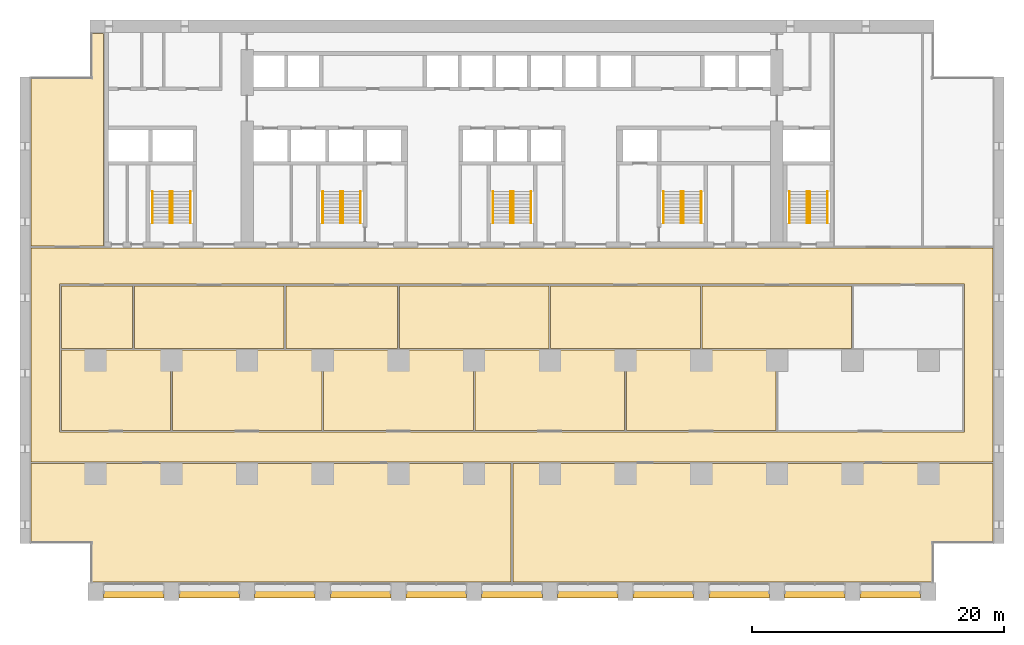
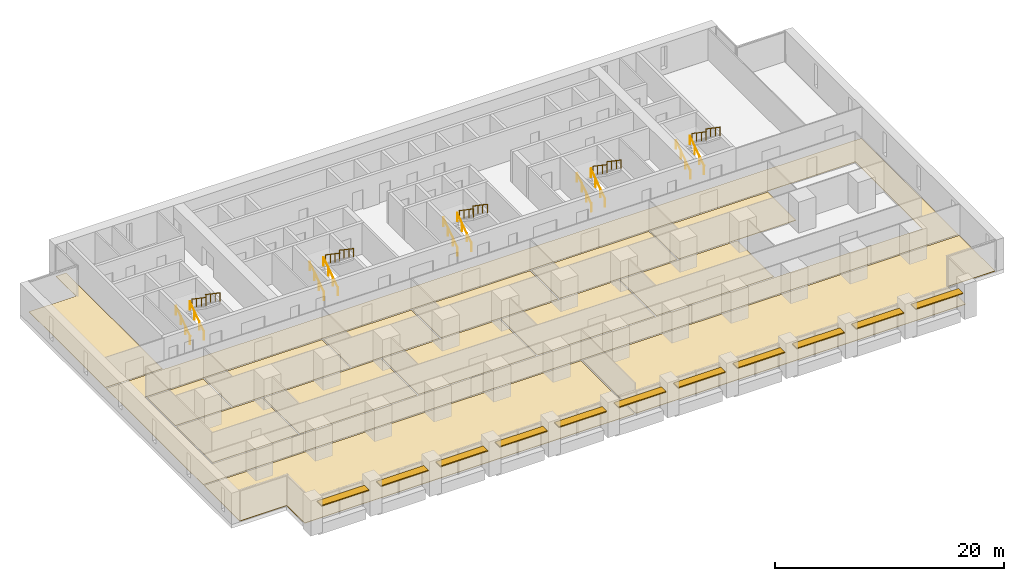
# One storey, part 17 of 18: 20 railings, 15 coverings, 11 shading devices, 5 elements without a shape of their own.
"""IFC4 building model written with IfcOpenShell, lengths in metres."""

from ifc_helpers import new_model, si_unit, direction, frame, origin, origin_2d, place, context, subcontext, project, spatial, polyline, rectangle, circle, outline, extrude, material, layer, layer_set, material_profile, profile_set, type_object, element, aggregate, save


model = new_model("IFC4")

# Units and contexts
model_context = context("Model", 3, precision=1e-05, world=origin(), true_north=direction((0.0, 1.0)))
body_context = subcontext(model_context, "Body", "Model", "MODEL_VIEW")
ifc_project = project(units=[si_unit("LENGTHUNIT", "METRE"), si_unit("AREAUNIT", "SQUARE_METRE"), si_unit("VOLUMEUNIT", "CUBIC_METRE"), si_unit("PLANEANGLEUNIT", "RADIAN"), si_unit("MASSUNIT", "GRAM", prefix="KILO")], contexts=[model_context])

# Site, building, storey
site_placement = place(None, origin())
site = spatial("IfcSite", under=ifc_project, at=site_placement, CompositionType="ELEMENT")
building_placement = place(site_placement, origin())
building = spatial("IfcBuilding", under=site, at=building_placement, Name="Calvaro Tower", CompositionType="ELEMENT")
storey_placement = place(building_placement, frame((0.0, 0.0, 41.25)))
storey = spatial("IfcBuildingStorey", under=building, at=storey_placement, Name="L09", CompositionType="ELEMENT", Elevation=41.25)

# Shading devices
ifc_material_1 = material(Name="Anodised aluminium", Category="aluminium")
ifc_material_profile = material_profile(ifc_material_1, rectangle(XDim=0.800048828125, YDim=0.10009765625, at=origin_2d()), Name="Brise-soleil blade 800 x 100")
ifc_profile_set = profile_set([ifc_material_profile], Name="Anodised aluminium")
shading_device_type = type_object("IfcShadingDeviceType", Name="Brise-soleil blade 800 x 100", PredefinedType="JALOUSIE", material=ifc_profile_set)
for number, where, z_axis, x_axis, name in (
    (1, (6.60009765625, 0.60009765625, 2.300048828125), (1.0, 0.0, 0.0), (0.0, 1.0, 0.0), "Brise-soleil blade 1"),
    (2, (12.60009765625, 0.60009765625, 2.300048828125), (1.0, 0.0, 0.0), (0.0, 1.0, 0.0), "Brise-soleil blade 2"),
    (3, (18.60009765625, 0.60009765625, 2.300048828125), (1.0, 0.0, 0.0), (0.0, 1.0, 0.0), "Brise-soleil blade 3"),
    (4, (24.60009765625, 0.60009765625, 2.300048828125), (1.0, 0.0, 0.0), (0.0, 1.0, 0.0), "Brise-soleil blade 4"),
    (5, (30.60009765625, 0.60009765625, 2.300048828125), (1.0, 0.0, 0.0), (0.0, 1.0, 0.0), "Brise-soleil blade 5"),
    (6, (36.60009765625, 0.60009765625, 2.300048828125), (1.0, 0.0, 0.0), (0.0, 1.0, 0.0), "Brise-soleil blade 6"),
    (7, (42.60009765625, 0.60009765625, 2.300048828125), (1.0, 0.0, 0.0), (0.0, 1.0, 0.0), "Brise-soleil blade 7"),
    (8, (48.60009765625, 0.60009765625, 2.300048828125), (1.0, 0.0, 0.0), (0.0, 1.0, 0.0), "Brise-soleil blade 8"),
    (9, (54.60009765625, 0.60009765625, 2.300048828125), (1.0, 0.0, 0.0), (0.0, 1.0, 0.0), "Brise-soleil blade 9"),
    (10, (60.60009765625, 0.60009765625, 2.300048828125), (1.0, 0.0, 0.0), (0.0, 1.0, 0.0), "Brise-soleil blade 10"),
    (11, (66.60009765625, 0.60009765625, 2.300048828125), (1.0, 0.0, 0.0), (0.0, 1.0, 0.0), "Brise-soleil blade 11"),
):
    element("IfcShadingDevice", number, at=place(storey_placement, frame(where, z_axis=z_axis, x_axis=x_axis)), inside=storey, type_object=shading_device_type, Name=name, PredefinedType="JALOUSIE", context=body_context, shape_type="SweptSolid", body=[
        extrude(rectangle(XDim=0.800048828125, YDim=0.10009765625, at=origin_2d()), origin(), (0.0, 0.0, 1.0), 4.7998046875),
    ])

# Coverings
ifc_material_2 = material(Name="Cement screed with carpet tile finish")
ifc_layer = layer(ifc_material_2, 0.050048828125)
ifc_layer_set = layer_set([ifc_layer], Name="Cement screed with carpet tile finish")
covering_type = type_object("IfcCoveringType", Name="Floor finish 50", PredefinedType="FLOORING", material=ifc_layer_set)
covering_1_placement = place(storey_placement, origin())
element("IfcCovering", 12, at=covering_1_placement, inside=storey, type_object=covering_type, Name="Floor finish 09.01", PredefinedType="FLOORING", context=body_context, shape_type="SweptSolid", body=[
    extrude(outline(polyline([(0.8701171875, 10.969970703125), (0.8701171875, 27.929931640625), (77.1298828125, 27.929931640625), (77.1298828125, 10.969970703125), (0.8701171875, 10.969970703125)]), holes=[polyline([(74.8701171875, 13.330078125), (74.8701171875, 25.070068359375), (3.1298828125, 25.070068359375), (3.1298828125, 13.330078125), (74.8701171875, 13.330078125)])]), origin(), (0.0, 0.0, 1.0), 0.050048828125),
])
covering_2_placement = place(storey_placement, origin())
element("IfcCovering", 13, at=covering_2_placement, inside=storey, type_object=covering_type, Name="Floor finish 09.02", PredefinedType="FLOORING", context=body_context, shape_type="SweptSolid", body=[
    extrude(outline(polyline([(38.929931640625, 10.830078125), (38.929931640625, 1.469970703125), (5.6201171875, 1.469970703125), (5.6201171875, 4.570068359375), (0.8701171875, 4.570068359375), (0.8701171875, 10.830078125), (38.929931640625, 10.830078125)])), origin(), (0.0, 0.0, 1.0), 0.050048828125),
])
covering_3_placement = place(storey_placement, origin())
element("IfcCovering", 14, at=covering_3_placement, inside=storey, type_object=covering_type, Name="Floor finish 09.03", PredefinedType="FLOORING", context=body_context, shape_type="SweptSolid", body=[
    extrude(outline(polyline([(77.1298828125, 4.570068359375), (72.3798828125, 4.570068359375), (72.3798828125, 1.469970703125), (39.070068359375, 1.469970703125), (39.070068359375, 10.830078125), (77.1298828125, 10.830078125), (77.1298828125, 4.570068359375)])), origin(), (0.0, 0.0, 1.0), 0.050048828125),
])
covering_4_placement = place(storey_placement, origin())
element("IfcCovering", 15, at=covering_4_placement, inside=storey, type_object=covering_type, Name="Floor finish 09.04", PredefinedType="FLOORING", context=body_context, shape_type="SweptSolid", body=[
    extrude(outline(polyline([(3.27001953125, 13.469970703125), (3.27001953125, 19.830078125), (11.929931640625, 19.830078125), (11.929931640625, 13.469970703125), (3.27001953125, 13.469970703125)])), origin(), (0.0, 0.0, 1.0), 0.050048828125),
])
covering_5_placement = place(storey_placement, origin())
element("IfcCovering", 16, at=covering_5_placement, inside=storey, type_object=covering_type, Name="Floor finish 09.06", PredefinedType="FLOORING", context=body_context, shape_type="SweptSolid", body=[
    extrude(outline(polyline([(12.070068359375, 13.469970703125), (12.070068359375, 19.830078125), (23.929931640625, 19.830078125), (23.929931640625, 13.469970703125), (12.070068359375, 13.469970703125)])), origin(), (0.0, 0.0, 1.0), 0.050048828125),
])
covering_6_placement = place(storey_placement, origin())
element("IfcCovering", 17, at=covering_6_placement, inside=storey, type_object=covering_type, Name="Floor finish 09.07", PredefinedType="FLOORING", context=body_context, shape_type="SweptSolid", body=[
    extrude(outline(polyline([(24.070068359375, 13.469970703125), (24.070068359375, 19.830078125), (35.929931640625, 19.830078125), (35.929931640625, 13.469970703125), (24.070068359375, 13.469970703125)])), origin(), (0.0, 0.0, 1.0), 0.050048828125),
])
covering_7_placement = place(storey_placement, origin())
element("IfcCovering", 18, at=covering_7_placement, inside=storey, type_object=covering_type, Name="Floor finish 09.08", PredefinedType="FLOORING", context=body_context, shape_type="SweptSolid", body=[
    extrude(outline(polyline([(36.070068359375, 13.469970703125), (36.070068359375, 19.830078125), (47.929931640625, 19.830078125), (47.929931640625, 13.469970703125), (36.070068359375, 13.469970703125)])), origin(), (0.0, 0.0, 1.0), 0.050048828125),
])
covering_8_placement = place(storey_placement, origin())
element("IfcCovering", 19, at=covering_8_placement, inside=storey, type_object=covering_type, Name="Floor finish 09.09", PredefinedType="FLOORING", context=body_context, shape_type="SweptSolid", body=[
    extrude(outline(polyline([(48.070068359375, 13.469970703125), (48.070068359375, 19.830078125), (59.929931640625, 19.830078125), (59.929931640625, 13.469970703125), (48.070068359375, 13.469970703125)])), origin(), (0.0, 0.0, 1.0), 0.050048828125),
])
covering_9_placement = place(storey_placement, origin())
element("IfcCovering", 20, at=covering_9_placement, inside=storey, type_object=covering_type, Name="Floor finish 09.12", PredefinedType="FLOORING", context=body_context, shape_type="SweptSolid", body=[
    extrude(outline(polyline([(3.27001953125, 19.969970703125), (3.27001953125, 24.929931640625), (8.929931640625, 24.929931640625), (8.929931640625, 19.969970703125), (3.27001953125, 19.969970703125)])), origin(), (0.0, 0.0, 1.0), 0.050048828125),
])
covering_10_placement = place(storey_placement, origin())
element("IfcCovering", 21, at=covering_10_placement, inside=storey, type_object=covering_type, Name="Floor finish 09.13", PredefinedType="FLOORING", context=body_context, shape_type="SweptSolid", body=[
    extrude(outline(polyline([(9.070068359375, 19.969970703125), (9.070068359375, 24.929931640625), (20.929931640625, 24.929931640625), (20.929931640625, 19.969970703125), (9.070068359375, 19.969970703125)])), origin(), (0.0, 0.0, 1.0), 0.050048828125),
])
covering_11_placement = place(storey_placement, origin())
element("IfcCovering", 22, at=covering_11_placement, inside=storey, type_object=covering_type, Name="Floor finish 09.10", PredefinedType="FLOORING", context=body_context, shape_type="SweptSolid", body=[
    extrude(outline(polyline([(21.070068359375, 19.969970703125), (21.070068359375, 24.929931640625), (29.929931640625, 24.929931640625), (29.929931640625, 19.969970703125), (21.070068359375, 19.969970703125)])), origin(), (0.0, 0.0, 1.0), 0.050048828125),
])
covering_12_placement = place(storey_placement, origin())
element("IfcCovering", 23, at=covering_12_placement, inside=storey, type_object=covering_type, Name="Floor finish 09.14", PredefinedType="FLOORING", context=body_context, shape_type="SweptSolid", body=[
    extrude(outline(polyline([(30.070068359375, 19.969970703125), (30.070068359375, 24.929931640625), (41.929931640625, 24.929931640625), (41.929931640625, 19.969970703125), (30.070068359375, 19.969970703125)])), origin(), (0.0, 0.0, 1.0), 0.050048828125),
])
covering_13_placement = place(storey_placement, origin())
element("IfcCovering", 24, at=covering_13_placement, inside=storey, type_object=covering_type, Name="Floor finish 09.15", PredefinedType="FLOORING", context=body_context, shape_type="SweptSolid", body=[
    extrude(outline(polyline([(42.070068359375, 19.969970703125), (42.070068359375, 24.929931640625), (53.929931640625, 24.929931640625), (53.929931640625, 19.969970703125), (42.070068359375, 19.969970703125)])), origin(), (0.0, 0.0, 1.0), 0.050048828125),
])
covering_14_placement = place(storey_placement, origin())
element("IfcCovering", 25, at=covering_14_placement, inside=storey, type_object=covering_type, Name="Floor finish 09.16", PredefinedType="FLOORING", context=body_context, shape_type="SweptSolid", body=[
    extrude(outline(polyline([(54.070068359375, 19.969970703125), (54.070068359375, 24.929931640625), (65.929931640625, 24.929931640625), (65.929931640625, 19.969970703125), (54.070068359375, 19.969970703125)])), origin(), (0.0, 0.0, 1.0), 0.050048828125),
])
covering_15_placement = place(storey_placement, origin())
element("IfcCovering", 26, at=covering_15_placement, inside=storey, type_object=covering_type, Name="Floor finish 09.18", PredefinedType="FLOORING", context=body_context, shape_type="SweptSolid", body=[
    extrude(outline(polyline([(6.6298828125, 28.070068359375), (0.8701171875, 28.070068359375), (0.8701171875, 41.429931640625), (5.6201171875, 41.429931640625), (5.6201171875, 44.929931640625), (6.6298828125, 44.929931640625), (6.6298828125, 28.070068359375)])), origin(), (0.0, 0.0, 1.0), 0.050048828125),
])

# Stair, railings
ifc_material_3 = material(Name="Concrete C40/50", Category="concrete")
stair_type = type_object("IfcStairType", Name="Exit stair 1400 2 flights", PredefinedType="HALF_TURN_STAIR", material=ifc_material_3)
stair_1_placement = place(storey_placement, origin())
stair_1 = element("IfcStair", 27, at=stair_1_placement, inside=storey, type_object=stair_type, Name="Exit stair S1", PredefinedType="HALF_TURN_STAIR")
ifc_material_4 = material(Name="Stainless steel", Category="steel")
railing_type = type_object("IfcRailingType", Name="Stair handrail", PredefinedType="HANDRAIL", material=ifc_material_4)
railing_1_placement = place(storey_placement, frame((11.89990234375, 29.89990234375, 0.17041015625)))
railing_1 = element("IfcRailing", 28, at=railing_1_placement, type_object=railing_type, Name="Exit stair 1 handrail", PredefinedType="HANDRAIL", context=body_context, shape_type="SweptSolid", body=[
    extrude(circle(Radius=0.02392578125, at=origin_2d()), frame((0.0, 0.0, 0.8759765625), z_axis=(0.0, 0.826220514629, 0.563346839174), x_axis=(-1.0, 0.0, 0.0)), (0.0, 0.0, 1.0), 3.02587890625),
    extrude(circle(Radius=0.02099609375, at=origin_2d()), frame((0.0, 0.017333984375, 0.01171875)), (0.0, 0.0, 1.0), 0.851806640625),
    extrude(circle(Radius=0.02099609375, at=origin_2d()), frame((0.0, 0.833251953125, 0.568115234375)), (0.0, 0.0, 1.0), 0.851806640625),
    extrude(circle(Radius=0.02099609375, at=origin_2d()), frame((0.0, 1.666748046875, 1.136474609375)), (0.0, 0.0, 1.0), 0.851806640625),
    extrude(circle(Radius=0.02099609375, at=origin_2d()), frame((0.0, 2.482666015625, 1.69287109375)), (0.0, 0.0, 1.0), 0.851806640625),
])
railing_2_placement = place(storey_placement, frame((10.5, 29.89990234375, 0.17041015625)))
railing_2 = element("IfcRailing", 29, at=railing_2_placement, type_object=railing_type, Name="Exit stair 1 handrail", PredefinedType="HANDRAIL", context=body_context, shape_type="SweptSolid", body=[
    extrude(circle(Radius=0.02392578125, at=origin_2d()), frame((0.0, 0.0, 0.8759765625), z_axis=(0.0, 0.826220514629, 0.563346839174), x_axis=(-1.0, 0.0, 0.0)), (0.0, 0.0, 1.0), 3.02587890625),
    extrude(circle(Radius=0.02099609375, at=origin_2d()), frame((0.0, 0.017333984375, 0.01171875)), (0.0, 0.0, 1.0), 0.851806640625),
    extrude(circle(Radius=0.02099609375, at=origin_2d()), frame((0.0, 0.833251953125, 0.568115234375)), (0.0, 0.0, 1.0), 0.851806640625),
    extrude(circle(Radius=0.02099609375, at=origin_2d()), frame((0.0, 1.666748046875, 1.136474609375)), (0.0, 0.0, 1.0), 0.851806640625),
    extrude(circle(Radius=0.02099609375, at=origin_2d()), frame((0.0, 2.482666015625, 1.69287109375)), (0.0, 0.0, 1.0), 0.851806640625),
])
railing_3_placement = place(storey_placement, frame((12.10009765625, 32.39990234375, 2.04541015625)))
railing_3 = element("IfcRailing", 30, at=railing_3_placement, type_object=railing_type, Name="Exit stair 1 handrail", PredefinedType="HANDRAIL", context=body_context, shape_type="SweptSolid", body=[
    extrude(circle(Radius=0.02392578125, at=origin_2d()), frame((0.0, 0.0, 0.8759765625), z_axis=(0.0, -0.826220514629, 0.563346839174), x_axis=(1.0, 0.0, 0.0)), (0.0, 0.0, 1.0), 3.02587890625),
    extrude(circle(Radius=0.02099609375, at=origin_2d()), frame((0.0, -0.017333984375, 0.01171875)), (0.0, 0.0, 1.0), 0.851806640625),
    extrude(circle(Radius=0.02099609375, at=origin_2d()), frame((0.0, -0.833251953125, 0.568115234375)), (0.0, 0.0, 1.0), 0.851806640625),
    extrude(circle(Radius=0.02099609375, at=origin_2d()), frame((0.0, -1.666748046875, 1.136474609375)), (0.0, 0.0, 1.0), 0.851806640625),
    extrude(circle(Radius=0.02099609375, at=origin_2d()), frame((0.0, -2.482666015625, 1.69287109375)), (0.0, 0.0, 1.0), 0.851806640625),
])
railing_4_placement = place(storey_placement, frame((13.5, 32.39990234375, 2.04541015625)))
railing_4 = element("IfcRailing", 31, at=railing_4_placement, type_object=railing_type, Name="Exit stair 1 handrail", PredefinedType="HANDRAIL", context=body_context, shape_type="SweptSolid", body=[
    extrude(circle(Radius=0.02392578125, at=origin_2d()), frame((0.0, 0.0, 0.8759765625), z_axis=(0.0, -0.826220514629, 0.563346839174), x_axis=(1.0, 0.0, 0.0)), (0.0, 0.0, 1.0), 3.02587890625),
    extrude(circle(Radius=0.02099609375, at=origin_2d()), frame((0.0, -0.017333984375, 0.01171875)), (0.0, 0.0, 1.0), 0.851806640625),
    extrude(circle(Radius=0.02099609375, at=origin_2d()), frame((0.0, -0.833251953125, 0.568115234375)), (0.0, 0.0, 1.0), 0.851806640625),
    extrude(circle(Radius=0.02099609375, at=origin_2d()), frame((0.0, -1.666748046875, 1.136474609375)), (0.0, 0.0, 1.0), 0.851806640625),
    extrude(circle(Radius=0.02099609375, at=origin_2d()), frame((0.0, -2.482666015625, 1.69287109375)), (0.0, 0.0, 1.0), 0.851806640625),
])
aggregate(stair_1, [railing_1, railing_2, railing_3, railing_4])

stair_2_placement = place(storey_placement, origin())
stair_2 = element("IfcStair", 32, at=stair_2_placement, inside=storey, type_object=stair_type, Name="Exit stair S2", PredefinedType="HALF_TURN_STAIR")
railing_5_placement = place(storey_placement, frame((25.39990234375, 29.89990234375, 0.17041015625)))
railing_5 = element("IfcRailing", 33, at=railing_5_placement, type_object=railing_type, Name="Exit stair 2 handrail", PredefinedType="HANDRAIL", context=body_context, shape_type="SweptSolid", body=[
    extrude(circle(Radius=0.02392578125, at=origin_2d()), frame((0.0, 0.0, 0.8759765625), z_axis=(0.0, 0.826220514629, 0.563346839174), x_axis=(-1.0, 0.0, 0.0)), (0.0, 0.0, 1.0), 3.02587890625),
    extrude(circle(Radius=0.02099609375, at=origin_2d()), frame((0.0, 0.017333984375, 0.01171875)), (0.0, 0.0, 1.0), 0.851806640625),
    extrude(circle(Radius=0.02099609375, at=origin_2d()), frame((0.0, 0.833251953125, 0.568115234375)), (0.0, 0.0, 1.0), 0.851806640625),
    extrude(circle(Radius=0.02099609375, at=origin_2d()), frame((0.0, 1.666748046875, 1.136474609375)), (0.0, 0.0, 1.0), 0.851806640625),
    extrude(circle(Radius=0.02099609375, at=origin_2d()), frame((0.0, 2.482666015625, 1.69287109375)), (0.0, 0.0, 1.0), 0.851806640625),
])
railing_6_placement = place(storey_placement, frame((24.0, 29.89990234375, 0.17041015625)))
railing_6 = element("IfcRailing", 34, at=railing_6_placement, type_object=railing_type, Name="Exit stair 2 handrail", PredefinedType="HANDRAIL", context=body_context, shape_type="SweptSolid", body=[
    extrude(circle(Radius=0.02392578125, at=origin_2d()), frame((0.0, 0.0, 0.8759765625), z_axis=(0.0, 0.826220514629, 0.563346839174), x_axis=(-1.0, 0.0, 0.0)), (0.0, 0.0, 1.0), 3.02587890625),
    extrude(circle(Radius=0.02099609375, at=origin_2d()), frame((0.0, 0.017333984375, 0.01171875)), (0.0, 0.0, 1.0), 0.851806640625),
    extrude(circle(Radius=0.02099609375, at=origin_2d()), frame((0.0, 0.833251953125, 0.568115234375)), (0.0, 0.0, 1.0), 0.851806640625),
    extrude(circle(Radius=0.02099609375, at=origin_2d()), frame((0.0, 1.666748046875, 1.136474609375)), (0.0, 0.0, 1.0), 0.851806640625),
    extrude(circle(Radius=0.02099609375, at=origin_2d()), frame((0.0, 2.482666015625, 1.69287109375)), (0.0, 0.0, 1.0), 0.851806640625),
])
railing_7_placement = place(storey_placement, frame((25.60009765625, 32.39990234375, 2.04541015625)))
railing_7 = element("IfcRailing", 35, at=railing_7_placement, type_object=railing_type, Name="Exit stair 2 handrail", PredefinedType="HANDRAIL", context=body_context, shape_type="SweptSolid", body=[
    extrude(circle(Radius=0.02392578125, at=origin_2d()), frame((0.0, 0.0, 0.8759765625), z_axis=(0.0, -0.826220514629, 0.563346839174), x_axis=(1.0, 0.0, 0.0)), (0.0, 0.0, 1.0), 3.02587890625),
    extrude(circle(Radius=0.02099609375, at=origin_2d()), frame((0.0, -0.017333984375, 0.01171875)), (0.0, 0.0, 1.0), 0.851806640625),
    extrude(circle(Radius=0.02099609375, at=origin_2d()), frame((0.0, -0.833251953125, 0.568115234375)), (0.0, 0.0, 1.0), 0.851806640625),
    extrude(circle(Radius=0.02099609375, at=origin_2d()), frame((0.0, -1.666748046875, 1.136474609375)), (0.0, 0.0, 1.0), 0.851806640625),
    extrude(circle(Radius=0.02099609375, at=origin_2d()), frame((0.0, -2.482666015625, 1.69287109375)), (0.0, 0.0, 1.0), 0.851806640625),
])
railing_8_placement = place(storey_placement, frame((27.0, 32.39990234375, 2.04541015625)))
railing_8 = element("IfcRailing", 36, at=railing_8_placement, type_object=railing_type, Name="Exit stair 2 handrail", PredefinedType="HANDRAIL", context=body_context, shape_type="SweptSolid", body=[
    extrude(circle(Radius=0.02392578125, at=origin_2d()), frame((0.0, 0.0, 0.8759765625), z_axis=(0.0, -0.826220514629, 0.563346839174), x_axis=(1.0, 0.0, 0.0)), (0.0, 0.0, 1.0), 3.02587890625),
    extrude(circle(Radius=0.02099609375, at=origin_2d()), frame((0.0, -0.017333984375, 0.01171875)), (0.0, 0.0, 1.0), 0.851806640625),
    extrude(circle(Radius=0.02099609375, at=origin_2d()), frame((0.0, -0.833251953125, 0.568115234375)), (0.0, 0.0, 1.0), 0.851806640625),
    extrude(circle(Radius=0.02099609375, at=origin_2d()), frame((0.0, -1.666748046875, 1.136474609375)), (0.0, 0.0, 1.0), 0.851806640625),
    extrude(circle(Radius=0.02099609375, at=origin_2d()), frame((0.0, -2.482666015625, 1.69287109375)), (0.0, 0.0, 1.0), 0.851806640625),
])
aggregate(stair_2, [railing_5, railing_6, railing_7, railing_8])

stair_3_placement = place(storey_placement, origin())
stair_3 = element("IfcStair", 37, at=stair_3_placement, inside=storey, type_object=stair_type, Name="Exit stair S3", PredefinedType="HALF_TURN_STAIR")
railing_9_placement = place(storey_placement, frame((38.89990234375, 29.89990234375, 0.17041015625)))
railing_9 = element("IfcRailing", 38, at=railing_9_placement, type_object=railing_type, Name="Exit stair 3 handrail", PredefinedType="HANDRAIL", context=body_context, shape_type="SweptSolid", body=[
    extrude(circle(Radius=0.02392578125, at=origin_2d()), frame((0.0, 0.0, 0.8759765625), z_axis=(0.0, 0.826220514629, 0.563346839174), x_axis=(-1.0, 0.0, 0.0)), (0.0, 0.0, 1.0), 3.02587890625),
    extrude(circle(Radius=0.02099609375, at=origin_2d()), frame((0.0, 0.017333984375, 0.01171875)), (0.0, 0.0, 1.0), 0.851806640625),
    extrude(circle(Radius=0.02099609375, at=origin_2d()), frame((0.0, 0.833251953125, 0.568115234375)), (0.0, 0.0, 1.0), 0.851806640625),
    extrude(circle(Radius=0.02099609375, at=origin_2d()), frame((0.0, 1.666748046875, 1.136474609375)), (0.0, 0.0, 1.0), 0.851806640625),
    extrude(circle(Radius=0.02099609375, at=origin_2d()), frame((0.0, 2.482666015625, 1.69287109375)), (0.0, 0.0, 1.0), 0.851806640625),
])
railing_10_placement = place(storey_placement, frame((37.5, 29.89990234375, 0.17041015625)))
railing_10 = element("IfcRailing", 39, at=railing_10_placement, type_object=railing_type, Name="Exit stair 3 handrail", PredefinedType="HANDRAIL", context=body_context, shape_type="SweptSolid", body=[
    extrude(circle(Radius=0.02392578125, at=origin_2d()), frame((0.0, 0.0, 0.8759765625), z_axis=(0.0, 0.826220514629, 0.563346839174), x_axis=(-1.0, 0.0, 0.0)), (0.0, 0.0, 1.0), 3.02587890625),
    extrude(circle(Radius=0.02099609375, at=origin_2d()), frame((0.0, 0.017333984375, 0.01171875)), (0.0, 0.0, 1.0), 0.851806640625),
    extrude(circle(Radius=0.02099609375, at=origin_2d()), frame((0.0, 0.833251953125, 0.568115234375)), (0.0, 0.0, 1.0), 0.851806640625),
    extrude(circle(Radius=0.02099609375, at=origin_2d()), frame((0.0, 1.666748046875, 1.136474609375)), (0.0, 0.0, 1.0), 0.851806640625),
    extrude(circle(Radius=0.02099609375, at=origin_2d()), frame((0.0, 2.482666015625, 1.69287109375)), (0.0, 0.0, 1.0), 0.851806640625),
])
railing_11_placement = place(storey_placement, frame((39.10009765625, 32.39990234375, 2.04541015625)))
railing_11 = element("IfcRailing", 40, at=railing_11_placement, type_object=railing_type, Name="Exit stair 3 handrail", PredefinedType="HANDRAIL", context=body_context, shape_type="SweptSolid", body=[
    extrude(circle(Radius=0.02392578125, at=origin_2d()), frame((0.0, 0.0, 0.8759765625), z_axis=(0.0, -0.826220514629, 0.563346839174), x_axis=(1.0, 0.0, 0.0)), (0.0, 0.0, 1.0), 3.02587890625),
    extrude(circle(Radius=0.02099609375, at=origin_2d()), frame((0.0, -0.017333984375, 0.01171875)), (0.0, 0.0, 1.0), 0.851806640625),
    extrude(circle(Radius=0.02099609375, at=origin_2d()), frame((0.0, -0.833251953125, 0.568115234375)), (0.0, 0.0, 1.0), 0.851806640625),
    extrude(circle(Radius=0.02099609375, at=origin_2d()), frame((0.0, -1.666748046875, 1.136474609375)), (0.0, 0.0, 1.0), 0.851806640625),
    extrude(circle(Radius=0.02099609375, at=origin_2d()), frame((0.0, -2.482666015625, 1.69287109375)), (0.0, 0.0, 1.0), 0.851806640625),
])
railing_12_placement = place(storey_placement, frame((40.5, 32.39990234375, 2.04541015625)))
railing_12 = element("IfcRailing", 41, at=railing_12_placement, type_object=railing_type, Name="Exit stair 3 handrail", PredefinedType="HANDRAIL", context=body_context, shape_type="SweptSolid", body=[
    extrude(circle(Radius=0.02392578125, at=origin_2d()), frame((0.0, 0.0, 0.8759765625), z_axis=(0.0, -0.826220514629, 0.563346839174), x_axis=(1.0, 0.0, 0.0)), (0.0, 0.0, 1.0), 3.02587890625),
    extrude(circle(Radius=0.02099609375, at=origin_2d()), frame((0.0, -0.017333984375, 0.01171875)), (0.0, 0.0, 1.0), 0.851806640625),
    extrude(circle(Radius=0.02099609375, at=origin_2d()), frame((0.0, -0.833251953125, 0.568115234375)), (0.0, 0.0, 1.0), 0.851806640625),
    extrude(circle(Radius=0.02099609375, at=origin_2d()), frame((0.0, -1.666748046875, 1.136474609375)), (0.0, 0.0, 1.0), 0.851806640625),
    extrude(circle(Radius=0.02099609375, at=origin_2d()), frame((0.0, -2.482666015625, 1.69287109375)), (0.0, 0.0, 1.0), 0.851806640625),
])
aggregate(stair_3, [railing_9, railing_10, railing_11, railing_12])

stair_4_placement = place(storey_placement, origin())
stair_4 = element("IfcStair", 42, at=stair_4_placement, inside=storey, type_object=stair_type, Name="Exit stair S4", PredefinedType="HALF_TURN_STAIR")
railing_13_placement = place(storey_placement, frame((52.39990234375, 29.89990234375, 0.17041015625)))
railing_13 = element("IfcRailing", 43, at=railing_13_placement, type_object=railing_type, Name="Exit stair 4 handrail", PredefinedType="HANDRAIL", context=body_context, shape_type="SweptSolid", body=[
    extrude(circle(Radius=0.02392578125, at=origin_2d()), frame((0.0, 0.0, 0.8759765625), z_axis=(0.0, 0.826220514629, 0.563346839174), x_axis=(-1.0, 0.0, 0.0)), (0.0, 0.0, 1.0), 3.02587890625),
    extrude(circle(Radius=0.02099609375, at=origin_2d()), frame((0.0, 0.017333984375, 0.01171875)), (0.0, 0.0, 1.0), 0.851806640625),
    extrude(circle(Radius=0.02099609375, at=origin_2d()), frame((0.0, 0.833251953125, 0.568115234375)), (0.0, 0.0, 1.0), 0.851806640625),
    extrude(circle(Radius=0.02099609375, at=origin_2d()), frame((0.0, 1.666748046875, 1.136474609375)), (0.0, 0.0, 1.0), 0.851806640625),
    extrude(circle(Radius=0.02099609375, at=origin_2d()), frame((0.0, 2.482666015625, 1.69287109375)), (0.0, 0.0, 1.0), 0.851806640625),
])
railing_14_placement = place(storey_placement, frame((51.0, 29.89990234375, 0.17041015625)))
railing_14 = element("IfcRailing", 44, at=railing_14_placement, type_object=railing_type, Name="Exit stair 4 handrail", PredefinedType="HANDRAIL", context=body_context, shape_type="SweptSolid", body=[
    extrude(circle(Radius=0.02392578125, at=origin_2d()), frame((0.0, 0.0, 0.8759765625), z_axis=(0.0, 0.826220514629, 0.563346839174), x_axis=(-1.0, 0.0, 0.0)), (0.0, 0.0, 1.0), 3.02587890625),
    extrude(circle(Radius=0.02099609375, at=origin_2d()), frame((0.0, 0.017333984375, 0.01171875)), (0.0, 0.0, 1.0), 0.851806640625),
    extrude(circle(Radius=0.02099609375, at=origin_2d()), frame((0.0, 0.833251953125, 0.568115234375)), (0.0, 0.0, 1.0), 0.851806640625),
    extrude(circle(Radius=0.02099609375, at=origin_2d()), frame((0.0, 1.666748046875, 1.136474609375)), (0.0, 0.0, 1.0), 0.851806640625),
    extrude(circle(Radius=0.02099609375, at=origin_2d()), frame((0.0, 2.482666015625, 1.69287109375)), (0.0, 0.0, 1.0), 0.851806640625),
])
railing_15_placement = place(storey_placement, frame((52.60009765625, 32.39990234375, 2.04541015625)))
railing_15 = element("IfcRailing", 45, at=railing_15_placement, type_object=railing_type, Name="Exit stair 4 handrail", PredefinedType="HANDRAIL", context=body_context, shape_type="SweptSolid", body=[
    extrude(circle(Radius=0.02392578125, at=origin_2d()), frame((0.0, 0.0, 0.8759765625), z_axis=(0.0, -0.826220514629, 0.563346839174), x_axis=(1.0, 0.0, 0.0)), (0.0, 0.0, 1.0), 3.02587890625),
    extrude(circle(Radius=0.02099609375, at=origin_2d()), frame((0.0, -0.017333984375, 0.01171875)), (0.0, 0.0, 1.0), 0.851806640625),
    extrude(circle(Radius=0.02099609375, at=origin_2d()), frame((0.0, -0.833251953125, 0.568115234375)), (0.0, 0.0, 1.0), 0.851806640625),
    extrude(circle(Radius=0.02099609375, at=origin_2d()), frame((0.0, -1.666748046875, 1.136474609375)), (0.0, 0.0, 1.0), 0.851806640625),
    extrude(circle(Radius=0.02099609375, at=origin_2d()), frame((0.0, -2.482666015625, 1.69287109375)), (0.0, 0.0, 1.0), 0.851806640625),
])
railing_16_placement = place(storey_placement, frame((54.0, 32.39990234375, 2.04541015625)))
railing_16 = element("IfcRailing", 46, at=railing_16_placement, type_object=railing_type, Name="Exit stair 4 handrail", PredefinedType="HANDRAIL", context=body_context, shape_type="SweptSolid", body=[
    extrude(circle(Radius=0.02392578125, at=origin_2d()), frame((0.0, 0.0, 0.8759765625), z_axis=(0.0, -0.826220514629, 0.563346839174), x_axis=(1.0, 0.0, 0.0)), (0.0, 0.0, 1.0), 3.02587890625),
    extrude(circle(Radius=0.02099609375, at=origin_2d()), frame((0.0, -0.017333984375, 0.01171875)), (0.0, 0.0, 1.0), 0.851806640625),
    extrude(circle(Radius=0.02099609375, at=origin_2d()), frame((0.0, -0.833251953125, 0.568115234375)), (0.0, 0.0, 1.0), 0.851806640625),
    extrude(circle(Radius=0.02099609375, at=origin_2d()), frame((0.0, -1.666748046875, 1.136474609375)), (0.0, 0.0, 1.0), 0.851806640625),
    extrude(circle(Radius=0.02099609375, at=origin_2d()), frame((0.0, -2.482666015625, 1.69287109375)), (0.0, 0.0, 1.0), 0.851806640625),
])
aggregate(stair_4, [railing_13, railing_14, railing_15, railing_16])

stair_5_placement = place(storey_placement, origin())
stair_5 = element("IfcStair", 47, at=stair_5_placement, inside=storey, type_object=stair_type, Name="Exit stair S5", PredefinedType="HALF_TURN_STAIR")
railing_17_placement = place(storey_placement, frame((62.39990234375, 29.89990234375, 0.17041015625)))
railing_17 = element("IfcRailing", 48, at=railing_17_placement, type_object=railing_type, Name="Exit stair 5 handrail", PredefinedType="HANDRAIL", context=body_context, shape_type="SweptSolid", body=[
    extrude(circle(Radius=0.02392578125, at=origin_2d()), frame((0.0, 0.0, 0.8759765625), z_axis=(0.0, 0.826220514629, 0.563346839174), x_axis=(-1.0, 0.0, 0.0)), (0.0, 0.0, 1.0), 3.02587890625),
    extrude(circle(Radius=0.02099609375, at=origin_2d()), frame((0.0, 0.017333984375, 0.01171875)), (0.0, 0.0, 1.0), 0.851806640625),
    extrude(circle(Radius=0.02099609375, at=origin_2d()), frame((0.0, 0.833251953125, 0.568115234375)), (0.0, 0.0, 1.0), 0.851806640625),
    extrude(circle(Radius=0.02099609375, at=origin_2d()), frame((0.0, 1.666748046875, 1.136474609375)), (0.0, 0.0, 1.0), 0.851806640625),
    extrude(circle(Radius=0.02099609375, at=origin_2d()), frame((0.0, 2.482666015625, 1.69287109375)), (0.0, 0.0, 1.0), 0.851806640625),
])
railing_18_placement = place(storey_placement, frame((61.0, 29.89990234375, 0.17041015625)))
railing_18 = element("IfcRailing", 49, at=railing_18_placement, type_object=railing_type, Name="Exit stair 5 handrail", PredefinedType="HANDRAIL", context=body_context, shape_type="SweptSolid", body=[
    extrude(circle(Radius=0.02392578125, at=origin_2d()), frame((0.0, 0.0, 0.8759765625), z_axis=(0.0, 0.826220514629, 0.563346839174), x_axis=(-1.0, 0.0, 0.0)), (0.0, 0.0, 1.0), 3.02587890625),
    extrude(circle(Radius=0.02099609375, at=origin_2d()), frame((0.0, 0.017333984375, 0.01171875)), (0.0, 0.0, 1.0), 0.851806640625),
    extrude(circle(Radius=0.02099609375, at=origin_2d()), frame((0.0, 0.833251953125, 0.568115234375)), (0.0, 0.0, 1.0), 0.851806640625),
    extrude(circle(Radius=0.02099609375, at=origin_2d()), frame((0.0, 1.666748046875, 1.136474609375)), (0.0, 0.0, 1.0), 0.851806640625),
    extrude(circle(Radius=0.02099609375, at=origin_2d()), frame((0.0, 2.482666015625, 1.69287109375)), (0.0, 0.0, 1.0), 0.851806640625),
])
railing_19_placement = place(storey_placement, frame((62.60009765625, 32.39990234375, 2.04541015625)))
railing_19 = element("IfcRailing", 50, at=railing_19_placement, type_object=railing_type, Name="Exit stair 5 handrail", PredefinedType="HANDRAIL", context=body_context, shape_type="SweptSolid", body=[
    extrude(circle(Radius=0.02392578125, at=origin_2d()), frame((0.0, 0.0, 0.8759765625), z_axis=(0.0, -0.826220514629, 0.563346839174), x_axis=(1.0, 0.0, 0.0)), (0.0, 0.0, 1.0), 3.02587890625),
    extrude(circle(Radius=0.02099609375, at=origin_2d()), frame((0.0, -0.017333984375, 0.01171875)), (0.0, 0.0, 1.0), 0.851806640625),
    extrude(circle(Radius=0.02099609375, at=origin_2d()), frame((0.0, -0.833251953125, 0.568115234375)), (0.0, 0.0, 1.0), 0.851806640625),
    extrude(circle(Radius=0.02099609375, at=origin_2d()), frame((0.0, -1.666748046875, 1.136474609375)), (0.0, 0.0, 1.0), 0.851806640625),
    extrude(circle(Radius=0.02099609375, at=origin_2d()), frame((0.0, -2.482666015625, 1.69287109375)), (0.0, 0.0, 1.0), 0.851806640625),
])
railing_20_placement = place(storey_placement, frame((64.0, 32.39990234375, 2.04541015625)))
railing_20 = element("IfcRailing", 51, at=railing_20_placement, type_object=railing_type, Name="Exit stair 5 handrail", PredefinedType="HANDRAIL", context=body_context, shape_type="SweptSolid", body=[
    extrude(circle(Radius=0.02392578125, at=origin_2d()), frame((0.0, 0.0, 0.8759765625), z_axis=(0.0, -0.826220514629, 0.563346839174), x_axis=(1.0, 0.0, 0.0)), (0.0, 0.0, 1.0), 3.02587890625),
    extrude(circle(Radius=0.02099609375, at=origin_2d()), frame((0.0, -0.017333984375, 0.01171875)), (0.0, 0.0, 1.0), 0.851806640625),
    extrude(circle(Radius=0.02099609375, at=origin_2d()), frame((0.0, -0.833251953125, 0.568115234375)), (0.0, 0.0, 1.0), 0.851806640625),
    extrude(circle(Radius=0.02099609375, at=origin_2d()), frame((0.0, -1.666748046875, 1.136474609375)), (0.0, 0.0, 1.0), 0.851806640625),
    extrude(circle(Radius=0.02099609375, at=origin_2d()), frame((0.0, -2.482666015625, 1.69287109375)), (0.0, 0.0, 1.0), 0.851806640625),
])
aggregate(stair_5, [railing_17, railing_18, railing_19, railing_20])

save(model, "model.ifc")
